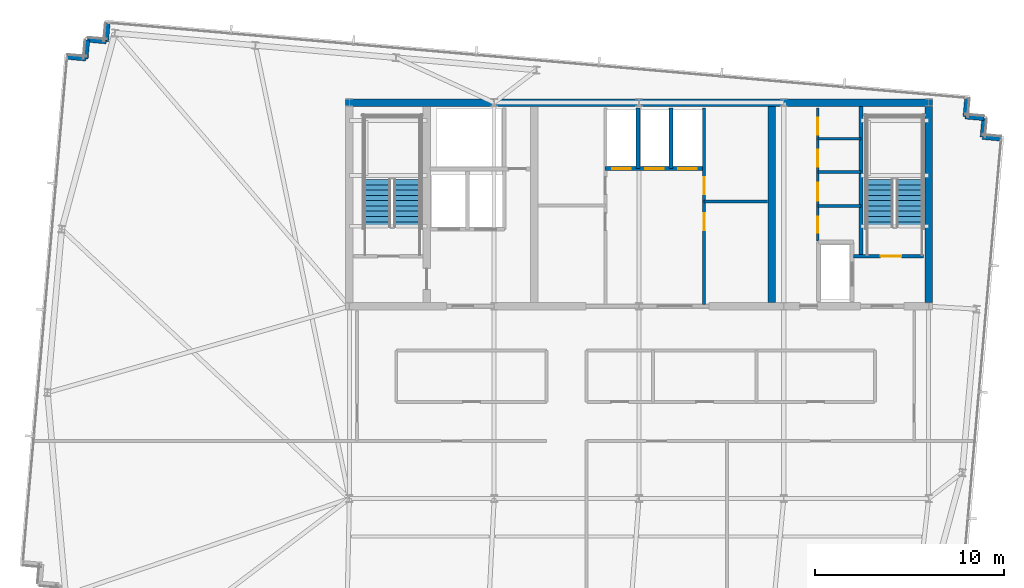
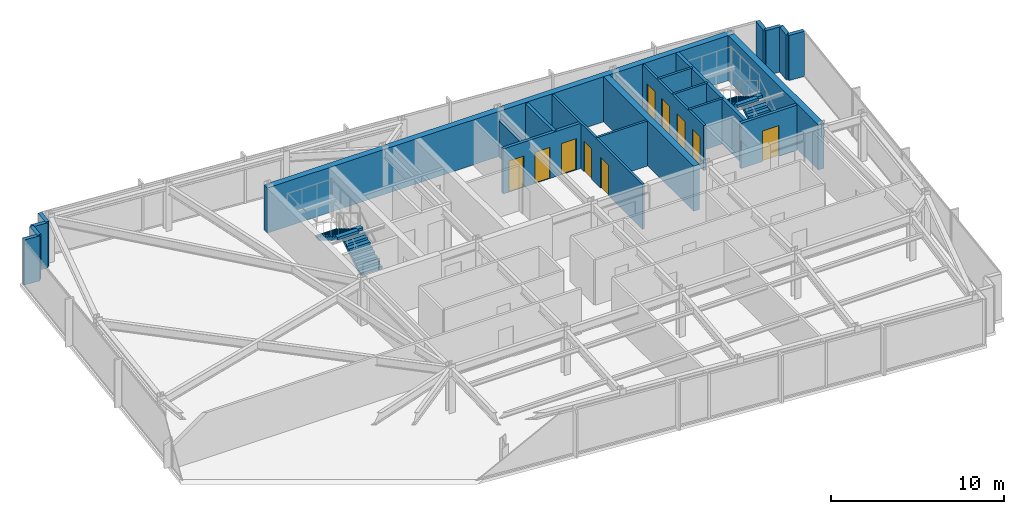
# One storey, part 28 of 32: 22 walls, 10 doors, 4 stair flights, 10 openings, 2 elements without a shape of their own.
"""IFC4 building model written with IfcOpenShell, lengths in metres."""

from ifc_helpers import new_model, si_unit, direction, frame, frame_2d, origin, place, context, subcontext, project, spatial, polyline, rectangle, outline, extrude, material, layer, layer_set, type_object, element, fill, aggregate, save


model = new_model("IFC4")

# Units and contexts
model_context = context("Model", 3, precision=1e-05, world=origin(), true_north=direction((0.0, 1.0)))
body_context = subcontext(model_context, "Body", "Model", "MODEL_VIEW")
ifc_project = project(units=[si_unit("LENGTHUNIT", "METRE"), si_unit("AREAUNIT", "SQUARE_METRE"), si_unit("VOLUMEUNIT", "CUBIC_METRE"), si_unit("PLANEANGLEUNIT", "RADIAN"), si_unit("MASSUNIT", "GRAM", prefix="KILO")], contexts=[model_context])

# Site, building, storey
site_placement = place(None, origin())
site = spatial("IfcSite", under=ifc_project, at=site_placement, CompositionType="ELEMENT")
building_placement = place(site_placement, origin())
building = spatial("IfcBuilding", under=site, at=building_placement, Name="Yelkora Congress Tower", CompositionType="ELEMENT")
storey_placement = place(building_placement, frame((0.0, 0.0, 269.300048828125)))
storey = spatial("IfcBuildingStorey", under=building, at=storey_placement, Name="L75", CompositionType="ELEMENT", Elevation=269.300048828125)

# Walls
ifc_material_1 = material(Name="Concrete C50/60", Category="concrete")
ifc_layer_1 = layer(ifc_material_1, 0.219970703125)
ifc_layer_set_1 = layer_set([ifc_layer_1], Name="Concrete C50/60")
wall_type_1 = type_object("IfcWallType", Name="WALL-CORE-INT-220", PredefinedType="SHEAR", material=ifc_layer_set_1)
wall_1_placement = place(storey_placement, frame((50.179931640625, 38.050048828125, 0.0), z_axis=(0.0, 0.0, 1.0), x_axis=(0.0, 1.0, 0.0)))
element("IfcWall", 1, at=wall_1_placement, inside=storey, type_object=wall_type_1, Name="L75 ST02 West Stair Shear Wall", PredefinedType="SHEAR", context=body_context, shape_type="SweptSolid", body=[
    extrude(rectangle(XDim=7.949951171875, YDim=0.219970703125, at=frame_2d((3.97509765625, 0.0))), origin(), (0.0, 0.0, 1.0), 3.179931640625),
])
ifc_layer_2 = layer(ifc_material_1, 0.39990234375)
ifc_layer_set_2 = layer_set([ifc_layer_2], Name="Concrete C50/60")
wall_type_2 = type_object("IfcWallType", Name="WALL-CORE-INT-400", PredefinedType="SHEAR", material=ifc_layer_set_2)
wall_2_placement = place(storey_placement, frame((22.840087890625, 46.199951171875, 0.0), z_axis=(0.0, 0.0, 1.0), x_axis=(1.0, 0.0, 0.0)))
element("IfcWall", 2, at=wall_2_placement, inside=storey, type_object=wall_type_2, Name="L75 Rear Core North Shear Wall", PredefinedType="SHEAR", context=body_context, shape_type="SweptSolid", body=[
    extrude(rectangle(XDim=31.119873046875, YDim=0.39990234375, at=frame_2d((15.56005859375, 0.0))), origin(), (0.0, 0.0, 1.0), 3.179931640625),
])
for number, where, z_axis, x_axis, name in (
    (3, (45.449951171875, 35.60009765625, 0.0), (0.0, 0.0, 1.0), (0.0, 1.0, 0.0), "L75 Rear Core Cross Shear Wall C3"),
    (4, (53.760009765625, 35.60009765625, 0.0), (0.0, 0.0, 1.0), (0.0, 1.0, 0.0), "L75 Rear Core Cross Shear Wall E"),
):
    element("IfcWall", number, at=place(storey_placement, frame(where, z_axis=z_axis, x_axis=x_axis)), inside=storey, type_object=wall_type_2, Name=name, PredefinedType="SHEAR", context=body_context, shape_type="SweptSolid", body=[
        extrude(rectangle(XDim=10.39990234375, YDim=0.39990234375, at=frame_2d((5.199951171875, 0.0))), origin(), (0.0, 0.0, 1.0), 3.179931640625),
    ])
ifc_material_2 = material(Name="Concrete C40/50", Category="concrete")
ifc_layer_3 = layer(ifc_material_2, 0.239990234375)
ifc_layer_set_3 = layer_set([ifc_layer_3], Name="Concrete C40/50")
wall_type_3 = type_object("IfcWallType", Name="WALL-EXT-LIMESTONE-240", PredefinedType="SOLIDWALL", material=ifc_layer_set_3)
for number, where, z_axis, x_axis, name in (
    (5, (8.0732421875, 48.609619140625, 0.0), (0.0, 0.0, 1.0), (0.996195572005, -0.087145753297, 0.0), "L75 Serrated Corner Limestone Pier 6"),
    (6, (9.069580078125, 48.5224609375, 0.0), (0.0, 0.0, 1.0), (0.087145753297, 0.996195572005, 0.0), "L75 Serrated Corner Limestone Pier 7"),
):
    element("IfcWall", number, at=place(storey_placement, frame(where, z_axis=z_axis, x_axis=x_axis)), inside=storey, type_object=wall_type_3, Name=name, PredefinedType="SOLIDWALL", context=body_context, shape_type="SweptSolid", body=[
        extrude(rectangle(XDim=1.000244140625, YDim=0.239990234375, at=frame_2d((0.5, 0.0))), origin(), (0.0, 0.0, 1.0), 3.179931640625),
    ])
for number, where, z_axis, x_axis, name in (
    (7, (9.15673828125, 49.518798828125, 0.0), (0.0, 0.0, 1.0), (0.996193717496, -0.087166950281, 0.0), "L75 Serrated Corner Limestone Pier 8"),
    (8, (10.15283203125, 49.431640625, 0.0), (0.0, 0.0, 1.0), (0.087166950281, 0.996193717496, 0.0), "L75 Serrated Corner Limestone Pier 9"),
    (9, (55.785888671875, 46.443115234375, 0.0), (0.0, 0.0, 1.0), (-0.086903493655, -0.996216734848, 0.0), "L75 Serrated Corner Limestone Pier 11"),
    (10, (55.698974609375, 45.44677734375, 0.0), (0.0, 0.0, 1.0), (0.996193717496, -0.087166950281, 0.0), "L75 Serrated Corner Limestone Pier 12"),
    (11, (56.695068359375, 45.359619140625, 0.0), (0.0, 0.0, 1.0), (-0.087166950281, -0.996193717496, 0.0), "L75 Serrated Corner Limestone Pier 13"),
    (12, (56.60791015625, 44.363525390625, 0.0), (0.0, 0.0, 1.0), (0.996193717496, -0.087166950281, 0.0), "L75 Serrated Corner Limestone Pier 14"),
):
    element("IfcWall", number, at=place(storey_placement, frame(where, z_axis=z_axis, x_axis=x_axis)), inside=storey, type_object=wall_type_3, Name=name, PredefinedType="SOLIDWALL", context=body_context, shape_type="SweptSolid", body=[
        extrude(rectangle(XDim=1.0, YDim=0.239990234375, at=frame_2d((0.5, 0.0))), origin(), (0.0, 0.0, 1.0), 3.179931640625),
    ])
ifc_material_3 = material(Name="Acoustic metal-stud gypsum partition", Category="gypsum")
ifc_layer_4 = layer(ifc_material_3, 0.14990234375)
ifc_layer_set_4 = layer_set([ifc_layer_4], Name="Acoustic metal-stud gypsum partition")
wall_type_4 = type_object("IfcWallType", Name="WALL-INT-150-NR", PredefinedType="PARTITIONING", material=ifc_layer_set_4)
for number, where, z_axis, x_axis, name in (
    (13, (47.8798828125, 40.719970703125, 0.0), (0.0, 0.0, 1.0), (1.0, 0.0, 0.0), "L75 Partition Wall 20"),
    (14, (47.8798828125, 42.52001953125, 0.0), (0.0, 0.0, 1.0), (1.0, 0.0, 0.0), "L75 Partition Wall 21"),
    (15, (47.8798828125, 44.280029296875, 0.0), (0.0, 0.0, 1.0), (1.0, 0.0, 0.0), "L75 Partition Wall 22"),
):
    element("IfcWall", number, at=place(storey_placement, frame(where, z_axis=z_axis, x_axis=x_axis)), inside=storey, type_object=wall_type_4, Name=name, PredefinedType="PARTITIONING", context=body_context, shape_type="SweptSolid", body=[
        extrude(rectangle(XDim=2.300048828125, YDim=0.14990234375, at=frame_2d((1.14990234375, 0.0))), origin(), (0.0, 0.0, 1.0), 3.179931640625),
    ])

# Wall, openings, doors
wall_3_placement = place(storey_placement, frame((47.8798828125, 38.85009765625, 0.0), z_axis=(0.0, 0.0, 1.0), x_axis=(0.0, 1.0, 0.0)))
wall_3 = element("IfcWall", 16, at=wall_3_placement, inside=storey, type_object=wall_type_4, Name="L75 Partition Wall 23", PredefinedType="PARTITIONING", context=body_context, shape_type="SweptSolid", body=[
    extrude(rectangle(XDim=7.06982421875, YDim=0.14990234375, at=frame_2d((3.534912109375, 0.0))), origin(), (0.0, 0.0, 1.0), 3.179931640625),
])
opening_1_placement = place(wall_3_placement, frame((0.449951171875, 0.0, 0.0)))
opening_1 = element("IfcOpeningElement", 17, at=opening_1_placement, cuts=wall_3, Name="Opening DR-085N", PredefinedType="OPENING", context=body_context, shape_type="SweptSolid", body=[
    extrude(rectangle(XDim=0.85009765625, YDim=2.14990234375, at=frame_2d((0.425048828125, 1.074951171875))), frame((0.0, 0.0849609375, 0.0), z_axis=(0.0, -1.0, 0.0), x_axis=(1.0, 0.0, 0.0)), (0.0, 0.0, 1.0), 0.169921875),
])
opening_2_placement = place(wall_3_placement, frame((2.14990234375, 0.0, 0.0)))
opening_2 = element("IfcOpeningElement", 18, at=opening_2_placement, cuts=wall_3, Name="Opening DR-095N", PredefinedType="OPENING", context=body_context, shape_type="SweptSolid", body=[
    extrude(rectangle(XDim=0.949951171875, YDim=2.14990234375, at=frame_2d((0.47509765625, 1.074951171875))), frame((0.0, 0.0849609375, 0.0), z_axis=(0.0, -1.0, 0.0), x_axis=(1.0, 0.0, 0.0)), (0.0, 0.0, 1.0), 0.169921875),
])
opening_3_placement = place(wall_3_placement, frame((3.949951171875, 0.0, 0.0)))
opening_3 = element("IfcOpeningElement", 19, at=opening_3_placement, cuts=wall_3, Name="Opening DR-090N", PredefinedType="OPENING", context=body_context, shape_type="SweptSolid", body=[
    extrude(rectangle(XDim=0.89990234375, YDim=2.14990234375, at=frame_2d((0.449951171875, 1.074951171875))), frame((0.0, 0.0849609375, 0.0), z_axis=(0.0, -1.0, 0.0), x_axis=(1.0, 0.0, 0.0)), (0.0, 0.0, 1.0), 0.169921875),
])
opening_4_placement = place(wall_3_placement, frame((5.64990234375, 0.0, 0.0)))
opening_4 = element("IfcOpeningElement", 20, at=opening_4_placement, cuts=wall_3, Name="Opening DR-090N", PredefinedType="OPENING", context=body_context, shape_type="SweptSolid", body=[
    extrude(rectangle(XDim=0.89990234375, YDim=2.14990234375, at=frame_2d((0.449951171875, 1.074951171875))), frame((0.0, 0.0849609375, 0.0), z_axis=(0.0, -1.0, 0.0), x_axis=(1.0, 0.0, 0.0)), (0.0, 0.0, 1.0), 0.169921875),
])
ifc_material_4 = material(Name="Laminate service store door leaf", Category="wood")
door_type_1 = type_object("IfcDoorType", Name="DOOR-INT-850", OperationType="NOTDEFINED", PredefinedType="DOOR", material=ifc_material_4)
door_1_placement = place(opening_1_placement, origin())
door_1 = element("IfcDoor", 21, at=door_1_placement, inside=storey, type_object=door_type_1, Name="L75 Janitor Room Door", OperationType="SINGLE_SWING_LEFT", OverallHeight=2.14990234375, OverallWidth=0.85009765625, PredefinedType="DOOR", context=body_context, shape_type="SweptSolid", body=[
    extrude(rectangle(XDim=0.85009765625, YDim=2.14990234375, at=frame_2d((0.425048828125, 1.074951171875))), frame((0.0, 0.02490234375, 0.0), z_axis=(0.0, -1.0, 0.0), x_axis=(1.0, 0.0, 0.0)), (0.0, 0.0, 1.0), 0.050048828125),
])
fill(opening_1, door_1)
ifc_material_5 = material(Name="Moisture-resistant laminate door leaf", Category="wood")
door_type_2 = type_object("IfcDoorType", Name="DOOR-INT-900", OperationType="NOTDEFINED", PredefinedType="DOOR", material=ifc_material_5)
door_2_placement = place(opening_3_placement, origin())
door_2 = element("IfcDoor", 22, at=door_2_placement, inside=storey, type_object=door_type_2, Name="L75 Male WC Door", OperationType="SINGLE_SWING_LEFT", OverallHeight=2.14990234375, OverallWidth=0.89990234375, PredefinedType="DOOR", context=body_context, shape_type="SweptSolid", body=[
    extrude(rectangle(XDim=0.89990234375, YDim=2.14990234375, at=frame_2d((0.449951171875, 1.074951171875))), frame((0.0, 0.02490234375, 0.0), z_axis=(0.0, -1.0, 0.0), x_axis=(1.0, 0.0, 0.0)), (0.0, 0.0, 1.0), 0.050048828125),
])
fill(opening_3, door_2)
door_3_placement = place(opening_4_placement, origin())
door_3 = element("IfcDoor", 23, at=door_3_placement, inside=storey, type_object=door_type_2, Name="L75 Female WC Door", OperationType="SINGLE_SWING_RIGHT", OverallHeight=2.14990234375, OverallWidth=0.89990234375, PredefinedType="DOOR", context=body_context, shape_type="SweptSolid", body=[
    extrude(rectangle(XDim=0.89990234375, YDim=2.14990234375, at=frame_2d((0.449951171875, 1.074951171875))), frame((0.0, 0.02490234375, 0.0), z_axis=(0.0, -1.0, 0.0), x_axis=(1.0, 0.0, 0.0)), (0.0, 0.0, 1.0), 0.050048828125),
])
fill(opening_4, door_3)
ifc_material_6 = material(Name="Acoustic laminated timber office door", Category="wood")
door_type_3 = type_object("IfcDoorType", Name="DOOR-INT-950", OperationType="NOTDEFINED", PredefinedType="DOOR", material=ifc_material_6)
door_4_placement = place(opening_2_placement, origin())
door_4 = element("IfcDoor", 24, at=door_4_placement, inside=storey, type_object=door_type_3, Name="L75 Accessible WC Door", OperationType="SINGLE_SWING_RIGHT", OverallHeight=2.14990234375, OverallWidth=0.949951171875, PredefinedType="DOOR", context=body_context, shape_type="SweptSolid", body=[
    extrude(rectangle(XDim=0.949951171875, YDim=2.14990234375, at=frame_2d((0.47509765625, 1.074951171875))), frame((0.0, 0.02490234375, 0.0), z_axis=(0.0, -1.0, 0.0), x_axis=(1.0, 0.0, 0.0)), (0.0, 0.0, 1.0), 0.050048828125),
])
fill(opening_2, door_4)

# Wall
ifc_material_7 = material(Name="Twin-stud fire-rated gypsum partition", Category="gypsum")
ifc_layer_5 = layer(ifc_material_7, 0.14990234375)
ifc_layer_set_5 = layer_set([ifc_layer_5], Name="Twin-stud fire-rated gypsum partition")
wall_type_5 = type_object("IfcWallType", Name="WALL-INT-150-R60", PredefinedType="PARTITIONING", material=ifc_layer_set_5)
wall_4_placement = place(storey_placement, frame((41.85009765625, 40.949951171875, 0.0), z_axis=(0.0, 0.0, 1.0), x_axis=(1.0, 0.0, 0.0)))
element("IfcWall", 25, at=wall_4_placement, inside=storey, type_object=wall_type_5, Name="L75 Partition Wall 13", PredefinedType="PARTITIONING", context=body_context, shape_type="SweptSolid", body=[
    extrude(rectangle(XDim=3.369873046875, YDim=0.14990234375, at=frame_2d((1.68505859375, 0.0))), origin(), (0.0, 0.0, 1.0), 3.179931640625),
])

# Wall, openings, doors
wall_5_placement = place(storey_placement, frame((41.85009765625, 35.5, 0.0), z_axis=(0.0, 0.0, 1.0), x_axis=(0.0, 1.0, 0.0)))
wall_5 = element("IfcWall", 26, at=wall_5_placement, inside=storey, type_object=wall_type_5, Name="L75 Partition Wall 14", PredefinedType="PARTITIONING", context=body_context, shape_type="SweptSolid", body=[
    extrude(rectangle(XDim=10.419921875, YDim=0.14990234375, at=frame_2d((5.2099609375, 0.0))), origin(), (0.0, 0.0, 1.0), 3.179931640625),
])
opening_5_placement = place(wall_5_placement, frame((3.919921875, 0.0, 0.0)))
opening_5 = element("IfcOpeningElement", 27, at=opening_5_placement, cuts=wall_5, Name="Opening DR-090F6", PredefinedType="OPENING", context=body_context, shape_type="SweptSolid", body=[
    extrude(rectangle(XDim=0.89990234375, YDim=2.14990234375, at=frame_2d((0.449951171875, 1.074951171875))), frame((0.0, 0.0849609375, 0.0), z_axis=(0.0, -1.0, 0.0), x_axis=(1.0, 0.0, 0.0)), (0.0, 0.0, 1.0), 0.169921875),
])
opening_6_placement = place(wall_5_placement, frame((5.85009765625, 0.0, 0.0)))
opening_6 = element("IfcOpeningElement", 28, at=opening_6_placement, cuts=wall_5, Name="Opening DR-090F6", PredefinedType="OPENING", context=body_context, shape_type="SweptSolid", body=[
    extrude(rectangle(XDim=0.89990234375, YDim=2.14990234375, at=frame_2d((0.449951171875, 1.074951171875))), frame((0.0, 0.0849609375, 0.0), z_axis=(0.0, -1.0, 0.0), x_axis=(1.0, 0.0, 0.0)), (0.0, 0.0, 1.0), 0.169921875),
])
ifc_material_8 = material(Name="Painted steel riser fire door leaf", Category="steel")
door_type_4 = type_object("IfcDoorType", Name="DOOR-FD60-900", OperationType="NOTDEFINED", PredefinedType="DOOR", material=ifc_material_8)
door_5_placement = place(opening_5_placement, origin())
door_5 = element("IfcDoor", 29, at=door_5_placement, inside=storey, type_object=door_type_4, Name="L75 High-Zone BMS Door", OperationType="SINGLE_SWING_RIGHT", OverallHeight=2.14990234375, OverallWidth=0.89990234375, PredefinedType="DOOR", context=body_context, shape_type="SweptSolid", body=[
    extrude(rectangle(XDim=0.89990234375, YDim=2.14990234375, at=frame_2d((0.449951171875, 1.074951171875))), frame((0.0, 0.02490234375, 0.0), z_axis=(0.0, -1.0, 0.0), x_axis=(1.0, 0.0, 0.0)), (0.0, 0.0, 1.0), 0.050048828125),
])
fill(opening_5, door_5)
door_6_placement = place(opening_6_placement, origin())
door_6 = element("IfcDoor", 30, at=door_6_placement, inside=storey, type_object=door_type_4, Name="L75 Linen Store Door", OperationType="SINGLE_SWING_LEFT", OverallHeight=2.14990234375, OverallWidth=0.89990234375, PredefinedType="DOOR", context=body_context, shape_type="SweptSolid", body=[
    extrude(rectangle(XDim=0.89990234375, YDim=2.14990234375, at=frame_2d((0.449951171875, 1.074951171875))), frame((0.0, 0.02490234375, 0.0), z_axis=(0.0, -1.0, 0.0), x_axis=(1.0, 0.0, 0.0)), (0.0, 0.0, 1.0), 0.050048828125),
])
fill(opening_6, door_6)

ifc_material_9 = material(Name="Autoclaved aerated concrete blockwork", Category="masonry")
ifc_layer_6 = layer(ifc_material_9, 0.199951171875)
ifc_layer_set_6 = layer_set([ifc_layer_6], Name="Autoclaved aerated concrete blockwork")
wall_type_6 = type_object("IfcWallType", Name="WALL-INT-200-R120", PredefinedType="PARTITIONING", material=ifc_layer_set_6)
wall_6_placement = place(storey_placement, frame((36.60009765625, 42.699951171875, 0.0), z_axis=(0.0, 0.0, 1.0), x_axis=(1.0, 0.0, 0.0)))
wall_6 = element("IfcWall", 31, at=wall_6_placement, inside=storey, type_object=wall_type_6, Name="L75 Partition Wall 8", PredefinedType="PARTITIONING", context=body_context, shape_type="SweptSolid", body=[
    extrude(rectangle(XDim=5.25, YDim=0.199951171875, at=frame_2d((2.625, 0.0))), origin(), (0.0, 0.0, 1.0), 3.179931640625),
])
opening_7_placement = place(wall_6_placement, frame((0.375, 0.0, 0.0)))
opening_7 = element("IfcOpeningElement", 32, at=opening_7_placement, cuts=wall_6, Name="Opening LD-PS10", PredefinedType="OPENING", context=body_context, shape_type="SweptSolid", body=[
    extrude(rectangle(XDim=1.0, YDim=2.199951171875, at=frame_2d((0.5, 1.10009765625))), frame((0.0, 0.10986328125, 0.0), z_axis=(0.0, -1.0, 0.0), x_axis=(1.0, 0.0, 0.0)), (0.0, 0.0, 1.0), 0.219970703125),
])
opening_8_placement = place(wall_6_placement, frame((2.125, 0.0, 0.0)))
opening_8 = element("IfcOpeningElement", 33, at=opening_8_placement, cuts=wall_6, Name="Opening LD-PS10", PredefinedType="OPENING", context=body_context, shape_type="SweptSolid", body=[
    extrude(rectangle(XDim=1.0, YDim=2.199951171875, at=frame_2d((0.5, 1.10009765625))), frame((0.0, 0.10986328125, 0.0), z_axis=(0.0, -1.0, 0.0), x_axis=(1.0, 0.0, 0.0)), (0.0, 0.0, 1.0), 0.219970703125),
])
opening_9_placement = place(wall_6_placement, frame((3.875, 0.0, 0.0)))
opening_9 = element("IfcOpeningElement", 34, at=opening_9_placement, cuts=wall_6, Name="Opening LD-PS10", PredefinedType="OPENING", context=body_context, shape_type="SweptSolid", body=[
    extrude(rectangle(XDim=1.0, YDim=2.199951171875, at=frame_2d((0.5, 1.10009765625))), frame((0.0, 0.10986328125, 0.0), z_axis=(0.0, -1.0, 0.0), x_axis=(1.0, 0.0, 0.0)), (0.0, 0.0, 1.0), 0.219970703125),
])
ifc_material_10 = material(Name="Champagne stainless steel landing door", Category="steel")
door_type_5 = type_object("IfcDoorType", Name="DOOR-LIFT-PAS-1000", OperationType="DOUBLE_DOOR_SLIDING", PredefinedType="DOOR", material=ifc_material_10)
door_7_placement = place(opening_7_placement, origin())
door_7 = element("IfcDoor", 35, at=door_7_placement, inside=storey, type_object=door_type_5, Name="Lift Landing Door LF-P9 L75", OperationType="DOUBLE_DOOR_SLIDING", OverallHeight=2.199951171875, OverallWidth=1.0, PredefinedType="DOOR", context=body_context, shape_type="SweptSolid", body=[
    extrude(rectangle(XDim=1.0, YDim=2.199951171875, at=frame_2d((0.5, 1.10009765625))), frame((0.0, 0.02490234375, 0.0), z_axis=(0.0, -1.0, 0.0), x_axis=(1.0, 0.0, 0.0)), (0.0, 0.0, 1.0), 0.050048828125),
])
fill(opening_7, door_7)
door_8_placement = place(opening_8_placement, origin())
door_8 = element("IfcDoor", 36, at=door_8_placement, inside=storey, type_object=door_type_5, Name="Lift Landing Door LF-P10 L75", OperationType="DOUBLE_DOOR_SLIDING", OverallHeight=2.199951171875, OverallWidth=1.0, PredefinedType="DOOR", context=body_context, shape_type="SweptSolid", body=[
    extrude(rectangle(XDim=1.0, YDim=2.199951171875, at=frame_2d((0.5, 1.10009765625))), frame((0.0, 0.02490234375, 0.0), z_axis=(0.0, -1.0, 0.0), x_axis=(1.0, 0.0, 0.0)), (0.0, 0.0, 1.0), 0.050048828125),
])
fill(opening_8, door_8)
door_9_placement = place(opening_9_placement, origin())
door_9 = element("IfcDoor", 37, at=door_9_placement, inside=storey, type_object=door_type_5, Name="Lift Landing Door LF-P11 L75", OperationType="DOUBLE_DOOR_SLIDING", OverallHeight=2.199951171875, OverallWidth=1.0, PredefinedType="DOOR", context=body_context, shape_type="SweptSolid", body=[
    extrude(rectangle(XDim=1.0, YDim=2.199951171875, at=frame_2d((0.5, 1.10009765625))), frame((0.0, 0.02490234375, 0.0), z_axis=(0.0, -1.0, 0.0), x_axis=(1.0, 0.0, 0.0)), (0.0, 0.0, 1.0), 0.050048828125),
])
fill(opening_9, door_9)

# Walls
wall_7_placement = place(storey_placement, frame((38.35009765625, 42.699951171875, 0.0), z_axis=(0.0, 0.0, 1.0), x_axis=(0.0, 1.0, 0.0)))
element("IfcWall", 38, at=wall_7_placement, inside=storey, type_object=wall_type_6, Name="L75 Partition Wall 9", PredefinedType="PARTITIONING", context=body_context, shape_type="SweptSolid", body=[
    extrude(rectangle(XDim=3.219970703125, YDim=0.199951171875, at=frame_2d((1.60986328125, 0.0))), origin(), (0.0, 0.0, 1.0), 2.574951171875),
])
wall_8_placement = place(storey_placement, frame((40.10009765625, 42.699951171875, 0.0), z_axis=(0.0, 0.0, 1.0), x_axis=(0.0, 1.0, 0.0)))
element("IfcWall", 39, at=wall_8_placement, inside=storey, type_object=wall_type_6, Name="L75 Partition Wall 10", PredefinedType="PARTITIONING", context=body_context, shape_type="SweptSolid", body=[
    extrude(rectangle(XDim=3.219970703125, YDim=0.199951171875, at=frame_2d((1.60986328125, 0.0))), origin(), (0.0, 0.0, 1.0), 3.179931640625),
])

# Wall, opening, door
wall_9_placement = place(storey_placement, frame((49.780029296875, 38.050048828125, 0.0), z_axis=(0.0, 0.0, 1.0), x_axis=(1.0, 0.0, 0.0)))
wall_9 = element("IfcWall", 40, at=wall_9_placement, inside=storey, type_object=wall_type_6, Name="L75 Stair ST-02 Enclosure Wall", PredefinedType="PARTITIONING", context=body_context, shape_type="SweptSolid", body=[
    extrude(rectangle(XDim=3.719970703125, YDim=0.199951171875, at=frame_2d((1.85986328125, 0.0))), origin(), (0.0, 0.0, 1.0), 3.179931640625),
])
opening_10_placement = place(wall_9_placement, frame((1.436279296875, 0.0, 0.0)))
opening_10 = element("IfcOpeningElement", 41, at=opening_10_placement, cuts=wall_9, Name="Opening DR-110F9", PredefinedType="OPENING", context=body_context, shape_type="SweptSolid", body=[
    extrude(rectangle(XDim=1.10009765625, YDim=2.14990234375, at=frame_2d((0.550048828125, 1.074951171875))), frame((0.0, 0.10986328125, 0.0), z_axis=(0.0, -1.0, 0.0), x_axis=(1.0, 0.0, 0.0)), (0.0, 0.0, 1.0), 0.219970703125),
])
ifc_material_11 = material(Name="Galvanised steel fire door leaf", Category="steel")
door_type_6 = type_object("IfcDoorType", Name="DOOR-FD90-1100", OperationType="NOTDEFINED", PredefinedType="DOOR", material=ifc_material_11)
door_10_placement = place(opening_10_placement, origin())
door_10 = element("IfcDoor", 42, at=door_10_placement, inside=storey, type_object=door_type_6, Name="L75 Stair ST-02 Entry Door", OperationType="SINGLE_SWING_RIGHT", OverallHeight=2.14990234375, OverallWidth=1.10009765625, PredefinedType="DOOR", context=body_context, shape_type="SweptSolid", body=[
    extrude(rectangle(XDim=1.10009765625, YDim=2.14990234375, at=frame_2d((0.550048828125, 1.074951171875))), frame((0.0, 0.02490234375, 0.0), z_axis=(0.0, -1.0, 0.0), x_axis=(1.0, 0.0, 0.0)), (0.0, 0.0, 1.0), 0.050048828125),
])
fill(opening_10, door_10)

# Stair, stair flights
stair_type = type_object("IfcStairType", Name="STAIR-HT-1420-R20-170", PredefinedType="HALF_TURN_STAIR", material=ifc_material_2)
stair_1_placement = place(storey_placement, origin())
stair_1 = element("IfcStair", 43, at=stair_1_placement, inside=storey, type_object=stair_type, Name="West Core Protected Exit Stair ST-01 (L75)", PredefinedType="HALF_TURN_STAIR")
stair_flight_type = type_object("IfcStairFlightType", Name="FLIGHT-1420-N10-R170-G280", PredefinedType="STRAIGHT", material=ifc_material_2)
stair_flight_1_placement = place(storey_placement, frame((26.110107421875, 39.60009765625, 0.0), z_axis=(0.0, 0.0, 1.0), x_axis=(0.0, 1.0, 0.0)))
stair_flight_1 = element("IfcStairFlight", 44, at=stair_flight_1_placement, type_object=stair_flight_type, Name="ST-01 L75 Flight 1", NumberOfRisers=10, NumberOfTreads=9, PredefinedType="STRAIGHT", RiserHeight=0.17, TreadLength=0.28, context=body_context, shape_type="SweptSolid", body=[
    extrude(outline(polyline([(0.0, 0.0), (0.0, 0.169921875), (0.280029296875, 0.169921875), (0.280029296875, 0.340087890625), (0.56005859375, 0.340087890625), (0.56005859375, 0.510009765625), (0.840087890625, 0.510009765625), (0.840087890625, 0.679931640625), (1.1201171875, 0.679931640625), (1.1201171875, 0.85009765625), (1.39990234375, 0.85009765625), (1.39990234375, 1.02001953125), (1.679931640625, 1.02001953125), (1.679931640625, 1.18994140625), (1.9599609375, 1.18994140625), (1.9599609375, 1.360107421875), (2.239990234375, 1.360107421875), (2.239990234375, 1.530029296875), (2.52001953125, 1.530029296875), (2.52001953125, 1.699951171875), (2.52001953125, 1.343017578125), (0.30810546875, 0.0), (0.0, 0.0)])), frame((0.0, 0.7099609375, 0.0), z_axis=(0.0, -1.0, 0.0), x_axis=(1.0, 0.0, 0.0)), (0.0, 0.0, 1.0), 1.419921875),
])
stair_flight_2_placement = place(storey_placement, frame((24.530029296875, 42.1201171875, 1.699951171875), z_axis=(0.0, 0.0, 1.0), x_axis=(0.0, -1.0, 0.0)))
stair_flight_2 = element("IfcStairFlight", 45, at=stair_flight_2_placement, type_object=stair_flight_type, Name="ST-01 L75 Flight 2", NumberOfRisers=10, NumberOfTreads=9, PredefinedType="STRAIGHT", RiserHeight=0.17, TreadLength=0.28, context=body_context, shape_type="SweptSolid", body=[
    extrude(outline(polyline([(0.0, 0.0), (0.0, 0.169921875), (0.280029296875, 0.169921875), (0.280029296875, 0.340087890625), (0.56005859375, 0.340087890625), (0.56005859375, 0.510009765625), (0.840087890625, 0.510009765625), (0.840087890625, 0.679931640625), (1.1201171875, 0.679931640625), (1.1201171875, 0.85009765625), (1.39990234375, 0.85009765625), (1.39990234375, 1.02001953125), (1.679931640625, 1.02001953125), (1.679931640625, 1.18994140625), (1.9599609375, 1.18994140625), (1.9599609375, 1.360107421875), (2.239990234375, 1.360107421875), (2.239990234375, 1.530029296875), (2.52001953125, 1.530029296875), (2.52001953125, 1.699951171875), (2.52001953125, 1.343017578125), (0.30810546875, 0.0), (0.0, 0.0)])), frame((0.0, 0.7099609375, 0.0), z_axis=(0.0, -1.0, 0.0), x_axis=(1.0, 0.0, 0.0)), (0.0, 0.0, 1.0), 1.419921875),
])
aggregate(stair_1, [stair_flight_1, stair_flight_2])

stair_2_placement = place(storey_placement, origin())
stair_2 = element("IfcStair", 46, at=stair_2_placement, inside=storey, type_object=stair_type, Name="East Core Protected Exit Stair ST-02 (L75)", PredefinedType="HALF_TURN_STAIR")
stair_flight_3_placement = place(storey_placement, frame((52.75, 39.60009765625, 0.0), z_axis=(0.0, 0.0, 1.0), x_axis=(0.0, 1.0, 0.0)))
stair_flight_3 = element("IfcStairFlight", 47, at=stair_flight_3_placement, type_object=stair_flight_type, Name="ST-02 L75 Flight 1", NumberOfRisers=10, NumberOfTreads=9, PredefinedType="STRAIGHT", RiserHeight=0.17, TreadLength=0.28, context=body_context, shape_type="SweptSolid", body=[
    extrude(outline(polyline([(0.0, 0.0), (0.0, 0.169921875), (0.280029296875, 0.169921875), (0.280029296875, 0.340087890625), (0.56005859375, 0.340087890625), (0.56005859375, 0.510009765625), (0.840087890625, 0.510009765625), (0.840087890625, 0.679931640625), (1.1201171875, 0.679931640625), (1.1201171875, 0.85009765625), (1.39990234375, 0.85009765625), (1.39990234375, 1.02001953125), (1.679931640625, 1.02001953125), (1.679931640625, 1.18994140625), (1.9599609375, 1.18994140625), (1.9599609375, 1.360107421875), (2.239990234375, 1.360107421875), (2.239990234375, 1.530029296875), (2.52001953125, 1.530029296875), (2.52001953125, 1.699951171875), (2.52001953125, 1.343017578125), (0.30810546875, 0.0), (0.0, 0.0)])), frame((0.0, 0.7099609375, 0.0), z_axis=(0.0, -1.0, 0.0), x_axis=(1.0, 0.0, 0.0)), (0.0, 0.0, 1.0), 1.419921875),
])
stair_flight_4_placement = place(storey_placement, frame((51.169921875, 42.1201171875, 1.699951171875), z_axis=(0.0, 0.0, 1.0), x_axis=(0.0, -1.0, 0.0)))
stair_flight_4 = element("IfcStairFlight", 48, at=stair_flight_4_placement, type_object=stair_flight_type, Name="ST-02 L75 Flight 2", NumberOfRisers=10, NumberOfTreads=9, PredefinedType="STRAIGHT", RiserHeight=0.17, TreadLength=0.28, context=body_context, shape_type="SweptSolid", body=[
    extrude(outline(polyline([(0.0, 0.0), (0.0, 0.169921875), (0.280029296875, 0.169921875), (0.280029296875, 0.340087890625), (0.56005859375, 0.340087890625), (0.56005859375, 0.510009765625), (0.840087890625, 0.510009765625), (0.840087890625, 0.679931640625), (1.1201171875, 0.679931640625), (1.1201171875, 0.85009765625), (1.39990234375, 0.85009765625), (1.39990234375, 1.02001953125), (1.679931640625, 1.02001953125), (1.679931640625, 1.18994140625), (1.9599609375, 1.18994140625), (1.9599609375, 1.360107421875), (2.239990234375, 1.360107421875), (2.239990234375, 1.530029296875), (2.52001953125, 1.530029296875), (2.52001953125, 1.699951171875), (2.52001953125, 1.343017578125), (0.30810546875, 0.0), (0.0, 0.0)])), frame((0.0, 0.7099609375, 0.0), z_axis=(0.0, -1.0, 0.0), x_axis=(1.0, 0.0, 0.0)), (0.0, 0.0, 1.0), 1.419921875),
])
aggregate(stair_2, [stair_flight_3, stair_flight_4])

save(model, "model.ifc")
